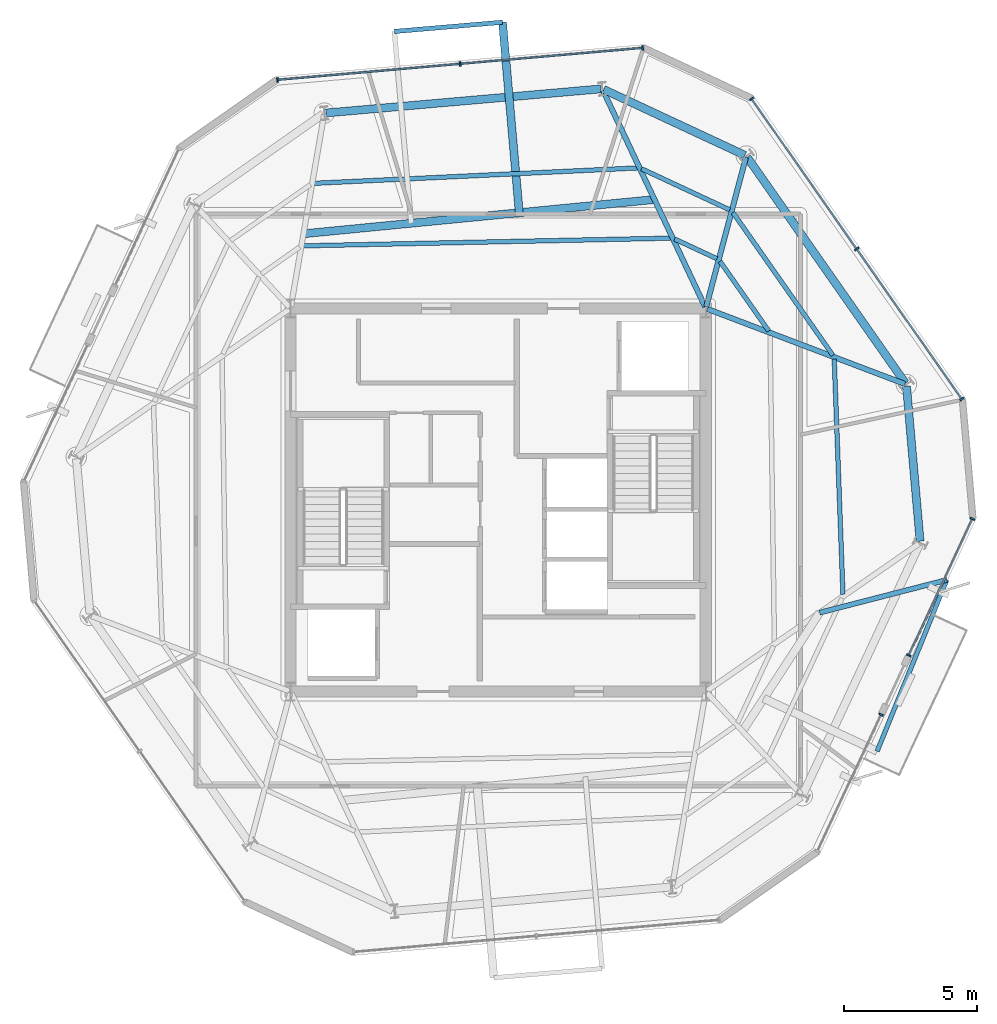
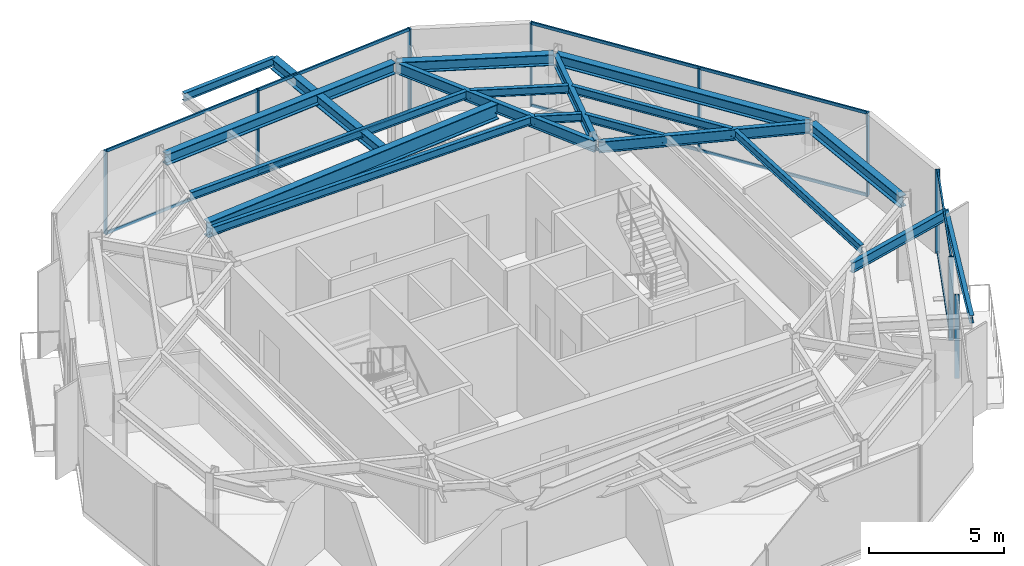
# One storey, part 4 of 11: 19 beams, 19 members, 4 elements without a shape of their own.
"""IFC4 building model written with IfcOpenShell, lengths in metres."""

from ifc_helpers import new_model, si_unit, direction, frame, origin, origin_2d, place, context, subcontext, project, spatial, rectangle, i_section, extrude, material, layer, layer_set, material_profile, profile_set, type_object, element, aggregate, save


model = new_model("IFC4")

# Units and contexts
model_context = context("Model", 3, precision=1e-05, world=origin(), true_north=direction((0.0, 1.0)))
body_context = subcontext(model_context, "Body", "Model", "MODEL_VIEW")
ifc_project = project(units=[si_unit("LENGTHUNIT", "METRE"), si_unit("AREAUNIT", "SQUARE_METRE"), si_unit("VOLUMEUNIT", "CUBIC_METRE"), si_unit("PLANEANGLEUNIT", "RADIAN"), si_unit("MASSUNIT", "GRAM", prefix="KILO")], contexts=[model_context])

# Site, building, storey
site_placement = place(None, origin())
site = spatial("IfcSite", under=ifc_project, at=site_placement, CompositionType="ELEMENT")
building_placement = place(site_placement, origin())
building = spatial("IfcBuilding", under=site, at=building_placement, Name="Kranzbogen Civic Tower", CompositionType="ELEMENT")
storey_placement = place(building_placement, frame((0.0, 0.0, 286.199951171875)))
storey = spatial("IfcBuildingStorey", under=building, at=storey_placement, Name="L69", CompositionType="ELEMENT", Elevation=286.199951171875)

# Beam
ifc_material_1 = material(Name="Steel S355", Category="steel")
ifc_material_profile_1 = material_profile(ifc_material_1, i_section(OverallWidth=0.18994140625, OverallDepth=0.449951171875, WebThickness=0.009521484375, FlangeThickness=0.0146484375, at=origin_2d()), Name="IPE 450")
ifc_profile_set_1 = profile_set([ifc_material_profile_1], Name="Steel S355")
beam_type_1 = type_object("IfcBeamType", Name="Braced Terrace Edge Beam IPE 450", PredefinedType="BEAM", material=ifc_profile_set_1)
beam_1_placement = place(storey_placement, frame((37.075927734375, 20.76708984375, 3.4951171875), z_axis=(0.968392283059, 0.249432127264, 0.0), x_axis=(-0.249432127264, 0.968392283059, 0.0)))
element("IfcBeam", 1, at=beam_1_placement, inside=storey, type_object=beam_type_1, Name="L70 back-spanned terrace beam L70-ST-2", PredefinedType="BEAM", context=body_context, shape_type="SweptSolid", body=[
    extrude(i_section(OverallWidth=0.18994140625, OverallDepth=0.449951171875, WebThickness=0.009521484375, FlangeThickness=0.0146484375, at=origin_2d()), origin(), (0.0, 0.0, 1.0), 4.93505859375),
])

# Curtain wall, members
ifc_material_2 = material(Name="Pale Anodised Aluminium", Category="aluminium")
ifc_layer = layer(ifc_material_2, 0.219970703125, Name="Pale Anodised Aluminium")
ifc_layer_set = layer_set([ifc_layer], Name="Pale Anodised Aluminium")
curtain_wall_type = type_object("IfcCurtainWallType", Name="Zone 4 Stick Curtain Wall System CW-05", PredefinedType="USERDEFINED", material=ifc_layer_set)
curtain_wall_1_placement = place(storey_placement, origin())
curtain_wall_1 = element("IfcCurtainWall", 2, at=curtain_wall_1_placement, inside=storey, type_object=curtain_wall_type, Name="L69 curtain wall CW-L69-F1", ObjectType="STICK CURTAIN WALL", PredefinedType="USERDEFINED")
ifc_material_profile_2 = material_profile(ifc_material_2, rectangle(XDim=0.06494140625, YDim=0.179931640625, at=origin_2d()), Name="ALU-M 65x180")
ifc_profile_set_2 = profile_set([ifc_material_profile_2], Name="Pale Anodised Aluminium")
member_type_1 = type_object("IfcMemberType", Name="Curtain Wall Mullion ALU-M 65x180", PredefinedType="MULLION", material=ifc_profile_set_2)
member_1_placement = place(storey_placement, frame((30.427001953125, 41.984375, 0.0), z_axis=(0.0, 0.0, 1.0), x_axis=(-0.99618696717, -0.087244062492, 0.0)))
member_1 = element("IfcMember", 3, at=member_1_placement, type_object=member_type_1, Name="CW-05 mullion 1", PredefinedType="MULLION", context=body_context, shape_type="SweptSolid", body=[
    extrude(rectangle(XDim=0.06494140625, YDim=0.179931640625, at=origin_2d()), origin(), (0.0, 0.0, 1.0), 3.780029296875),
])
member_2_placement = place(storey_placement, frame((23.56591796875, 41.383544921875, 0.0), z_axis=(0.0, 0.0, 1.0), x_axis=(-0.99618696717, -0.087244062492, 0.0)))
member_2 = element("IfcMember", 4, at=member_2_placement, type_object=member_type_1, Name="CW-05 mullion 2", PredefinedType="MULLION", context=body_context, shape_type="SweptSolid", body=[
    extrude(rectangle(XDim=0.06494140625, YDim=0.179931640625, at=origin_2d()), origin(), (0.0, 0.0, 1.0), 3.780029296875),
])
member_3_placement = place(storey_placement, frame((16.704833984375, 40.78271484375, 0.0), z_axis=(0.0, 0.0, 1.0), x_axis=(-0.99618696717, -0.087244062492, 0.0)))
member_3 = element("IfcMember", 5, at=member_3_placement, type_object=member_type_1, Name="CW-05 mullion 3", PredefinedType="MULLION", context=body_context, shape_type="SweptSolid", body=[
    extrude(rectangle(XDim=0.06494140625, YDim=0.179931640625, at=origin_2d()), origin(), (0.0, 0.0, 1.0), 3.780029296875),
])

# Curtain wall, member
curtain_wall_2_placement = place(storey_placement, origin())
curtain_wall_2 = element("IfcCurtainWall", 6, at=curtain_wall_2_placement, inside=storey, type_object=curtain_wall_type, Name="L69 curtain wall CW-L69-F5-S1", ObjectType="STICK CURTAIN WALL", PredefinedType="USERDEFINED")
member_4_placement = place(storey_placement, frame((39.38525390625, 16.934814453125, 0.0), z_axis=(0.0, 0.0, 1.0), x_axis=(0.422626886136, 0.906303765365, 0.0)))
member_4 = element("IfcMember", 7, at=member_4_placement, type_object=member_type_1, Name="CW-05 mullion 2", PredefinedType="MULLION", context=body_context, shape_type="SweptSolid", body=[
    extrude(rectangle(XDim=0.06494140625, YDim=0.179931640625, at=origin_2d()), origin(), (0.0, 0.0, 1.0), 3.780029296875),
])
aggregate(curtain_wall_2, [member_4])

# Curtain wall, members
curtain_wall_3_placement = place(storey_placement, origin())
curtain_wall_3 = element("IfcCurtainWall", 8, at=curtain_wall_3_placement, inside=storey, type_object=curtain_wall_type, Name="L69 curtain wall CW-L69-F5-S2", ObjectType="STICK CURTAIN WALL", PredefinedType="USERDEFINED")
member_5_placement = place(storey_placement, frame((40.424560546875, 19.164306640625, 0.0), z_axis=(0.0, 0.0, 1.0), x_axis=(0.422626886136, 0.906303765365, 0.0)))
member_5 = element("IfcMember", 9, at=member_5_placement, type_object=member_type_1, Name="CW-05 mullion 1", PredefinedType="MULLION", context=body_context, shape_type="SweptSolid", body=[
    extrude(rectangle(XDim=0.06494140625, YDim=0.179931640625, at=origin_2d()), origin(), (0.0, 0.0, 1.0), 3.780029296875),
])
member_6_placement = place(storey_placement, frame((42.8154296875, 24.290771484375, 0.0), z_axis=(0.0, 0.0, 1.0), x_axis=(0.422626886136, 0.906303765365, 0.0)))
member_6 = element("IfcMember", 10, at=member_6_placement, type_object=member_type_1, Name="CW-05 mullion 2", PredefinedType="MULLION", context=body_context, shape_type="SweptSolid", body=[
    extrude(rectangle(XDim=0.06494140625, YDim=0.179931640625, at=origin_2d()), origin(), (0.0, 0.0, 1.0), 3.780029296875),
])

curtain_wall_4_placement = place(storey_placement, origin())
curtain_wall_4 = element("IfcCurtainWall", 11, at=curtain_wall_4_placement, inside=storey, type_object=curtain_wall_type, Name="L69 curtain wall CW-L69-F6", ObjectType="STICK CURTAIN WALL", PredefinedType="USERDEFINED")
member_7_placement = place(storey_placement, frame((42.421875, 28.79052734375, 0.0), z_axis=(0.0, 0.0, 1.0), x_axis=(-0.573520552837, 0.819191171506, 0.0)))
member_7 = element("IfcMember", 12, at=member_7_placement, type_object=member_type_1, Name="CW-05 mullion 1", PredefinedType="MULLION", context=body_context, shape_type="SweptSolid", body=[
    extrude(rectangle(XDim=0.06494140625, YDim=0.179931640625, at=origin_2d()), origin(), (0.0, 0.0, 1.0), 3.780029296875),
])
member_8_placement = place(storey_placement, frame((38.471435546875, 34.43310546875, 0.0), z_axis=(0.0, 0.0, 1.0), x_axis=(-0.573520552837, 0.819191171506, 0.0)))
member_8 = element("IfcMember", 13, at=member_8_placement, type_object=member_type_1, Name="CW-05 mullion 2", PredefinedType="MULLION", context=body_context, shape_type="SweptSolid", body=[
    extrude(rectangle(XDim=0.06494140625, YDim=0.179931640625, at=origin_2d()), origin(), (0.0, 0.0, 1.0), 3.780029296875),
])
member_9_placement = place(storey_placement, frame((34.521240234375, 40.075439453125, 0.0), z_axis=(0.0, 0.0, 1.0), x_axis=(-0.573520552837, 0.819191171506, 0.0)))
member_9 = element("IfcMember", 14, at=member_9_placement, type_object=member_type_1, Name="CW-05 mullion 3", PredefinedType="MULLION", context=body_context, shape_type="SweptSolid", body=[
    extrude(rectangle(XDim=0.06494140625, YDim=0.179931640625, at=origin_2d()), origin(), (0.0, 0.0, 1.0), 3.780029296875),
])

# Member
ifc_material_profile_3 = material_profile(ifc_material_2, rectangle(XDim=0.06494140625, YDim=0.135009765625, at=origin_2d()), Name="ALU-T 65x135")
ifc_profile_set_3 = profile_set([ifc_material_profile_3], Name="Pale Anodised Aluminium")
member_type_2 = type_object("IfcMemberType", Name="Curtain Wall Transom ALU-T 65x135", PredefinedType="USERDEFINED", material=ifc_profile_set_3)
member_10_placement = place(storey_placement, frame((30.397216796875, 41.981689453125, 0.030029296875), z_axis=(-0.996189291323, -0.087217520337, 0.0), x_axis=(0.087217520337, -0.996189291323, 0.0)))
member_10 = element("IfcMember", 15, at=member_10_placement, type_object=member_type_2, Name="CW-05 transom 1.1", ObjectType="TRANSOM", PredefinedType="USERDEFINED", context=body_context, shape_type="SweptSolid", body=[
    extrude(rectangle(XDim=0.06494140625, YDim=0.135009765625, at=origin_2d()), origin(), (0.0, 0.0, 1.0), 6.827392578125),
])

member_11_placement = place(storey_placement, frame((30.397216796875, 41.981689453125, 3.75), z_axis=(-0.996189291323, -0.087217520337, 0.0), x_axis=(0.087217520337, -0.996189291323, 0.0)))
member_11 = element("IfcMember", 16, at=member_11_placement, type_object=member_type_2, Name="CW-05 transom 1.2", ObjectType="TRANSOM", PredefinedType="USERDEFINED", context=body_context, shape_type="SweptSolid", body=[
    extrude(rectangle(XDim=0.06494140625, YDim=0.135009765625, at=origin_2d()), origin(), (0.0, 0.0, 1.0), 6.827392578125),
])

member_12_placement = place(storey_placement, frame((23.5361328125, 41.380859375, 0.030029296875), z_axis=(-0.996186183727, -0.087253007692, 0.0), x_axis=(0.087253007692, -0.996186183727, 0.0)))
member_12 = element("IfcMember", 17, at=member_12_placement, type_object=member_type_2, Name="CW-05 transom 2.1", ObjectType="TRANSOM", PredefinedType="USERDEFINED", context=body_context, shape_type="SweptSolid", body=[
    extrude(rectangle(XDim=0.06494140625, YDim=0.135009765625, at=origin_2d()), origin(), (0.0, 0.0, 1.0), 6.827392578125),
])

member_13_placement = place(storey_placement, frame((23.5361328125, 41.380859375, 3.75), z_axis=(-0.996186183727, -0.087253007692, 0.0), x_axis=(0.087253007692, -0.996186183727, 0.0)))
member_13 = element("IfcMember", 18, at=member_13_placement, type_object=member_type_2, Name="CW-05 transom 2.2", ObjectType="TRANSOM", PredefinedType="USERDEFINED", context=body_context, shape_type="SweptSolid", body=[
    extrude(rectangle(XDim=0.06494140625, YDim=0.135009765625, at=origin_2d()), origin(), (0.0, 0.0, 1.0), 6.827392578125),
])

aggregate(curtain_wall_1, [member_1, member_2, member_3, member_10, member_11, member_12, member_13])

member_14_placement = place(storey_placement, frame((40.437255859375, 19.19140625, 0.030029296875), z_axis=(0.422653809005, 0.906291210226, 0.0), x_axis=(-0.906291210226, 0.422653809005, 0.0)))
member_14 = element("IfcMember", 19, at=member_14_placement, type_object=member_type_2, Name="CW-05 transom 1.1", ObjectType="TRANSOM", PredefinedType="USERDEFINED", context=body_context, shape_type="SweptSolid", body=[
    extrude(rectangle(XDim=0.06494140625, YDim=0.135009765625, at=origin_2d()), origin(), (0.0, 0.0, 1.0), 5.5966796875),
])

member_15_placement = place(storey_placement, frame((40.437255859375, 19.19140625, 3.75), z_axis=(0.422653809005, 0.906291210226, 0.0), x_axis=(-0.906291210226, 0.422653809005, 0.0)))
member_15 = element("IfcMember", 20, at=member_15_placement, type_object=member_type_2, Name="CW-05 transom 1.2", ObjectType="TRANSOM", PredefinedType="USERDEFINED", context=body_context, shape_type="SweptSolid", body=[
    extrude(rectangle(XDim=0.06494140625, YDim=0.135009765625, at=origin_2d()), origin(), (0.0, 0.0, 1.0), 5.5966796875),
])

aggregate(curtain_wall_3, [member_5, member_6, member_14, member_15])

member_16_placement = place(storey_placement, frame((42.404541015625, 28.815185546875, 0.030029296875), z_axis=(-0.573510339672, 0.819198321708, 0.0), x_axis=(-0.819198321708, -0.573510339672, 0.0)))
member_16 = element("IfcMember", 21, at=member_16_placement, type_object=member_type_2, Name="CW-05 transom 1.1", ObjectType="TRANSOM", PredefinedType="USERDEFINED", context=body_context, shape_type="SweptSolid", body=[
    extrude(rectangle(XDim=0.06494140625, YDim=0.135009765625, at=origin_2d()), origin(), (0.0, 0.0, 1.0), 6.82763671875),
])

member_17_placement = place(storey_placement, frame((42.404541015625, 28.815185546875, 3.75), z_axis=(-0.573510339672, 0.819198321708, 0.0), x_axis=(-0.819198321708, -0.573510339672, 0.0)))
member_17 = element("IfcMember", 22, at=member_17_placement, type_object=member_type_2, Name="CW-05 transom 1.2", ObjectType="TRANSOM", PredefinedType="USERDEFINED", context=body_context, shape_type="SweptSolid", body=[
    extrude(rectangle(XDim=0.06494140625, YDim=0.135009765625, at=origin_2d()), origin(), (0.0, 0.0, 1.0), 6.82763671875),
])

member_18_placement = place(storey_placement, frame((38.454345703125, 34.45751953125, 0.030029296875), z_axis=(-0.573534335111, 0.819181522282, 0.0), x_axis=(-0.819181522282, -0.573534335111, 0.0)))
member_18 = element("IfcMember", 23, at=member_18_placement, type_object=member_type_2, Name="CW-05 transom 2.1", ObjectType="TRANSOM", PredefinedType="USERDEFINED", context=body_context, shape_type="SweptSolid", body=[
    extrude(rectangle(XDim=0.06494140625, YDim=0.135009765625, at=origin_2d()), origin(), (0.0, 0.0, 1.0), 6.827880859375),
])

member_19_placement = place(storey_placement, frame((38.454345703125, 34.45751953125, 3.75), z_axis=(-0.573534335111, 0.819181522282, 0.0), x_axis=(-0.819181522282, -0.573534335111, 0.0)))
member_19 = element("IfcMember", 24, at=member_19_placement, type_object=member_type_2, Name="CW-05 transom 2.2", ObjectType="TRANSOM", PredefinedType="USERDEFINED", context=body_context, shape_type="SweptSolid", body=[
    extrude(rectangle(XDim=0.06494140625, YDim=0.135009765625, at=origin_2d()), origin(), (0.0, 0.0, 1.0), 6.827880859375),
])

aggregate(curtain_wall_4, [member_7, member_8, member_9, member_16, member_17, member_18, member_19])

# Beams
ifc_material_profile_4 = material_profile(ifc_material_1, i_section(OverallWidth=0.300048828125, OverallDepth=0.5, WebThickness=0.014404296875, FlangeThickness=0.028076171875, at=origin_2d()), Name="HEB 500")
ifc_profile_set_4 = profile_set([ifc_material_profile_4], Name="Steel S355")
beam_type_2 = type_object("IfcBeamType", Name="Perimeter Tube Spandrel Beam HEB 500", PredefinedType="SPANDREL", material=ifc_profile_set_4)
beam_2_placement = place(storey_placement, frame((40.85009765625, 23.449951171875, 3.530029296875), z_axis=(-0.087326362434, 0.99617975608, 0.0), x_axis=(-0.99617975608, -0.087326362434, 0.0)))
element("IfcBeam", 25, at=beam_2_placement, inside=storey, type_object=beam_type_2, Name="L69 perimeter spandrel beam 06", PredefinedType="SPANDREL", context=body_context, shape_type="SweptSolid", body=[
    extrude(i_section(OverallWidth=0.300048828125, OverallDepth=0.5, WebThickness=0.014404296875, FlangeThickness=0.028076171875, at=origin_2d()), origin(), (0.0, 0.0, 1.0), 5.8515625),
])
beam_3_placement = place(storey_placement, frame((40.300048828125, 29.387939453125, 3.530029296875), z_axis=(-0.573577759301, 0.819151117948, 0.0), x_axis=(-0.819151117948, -0.573577759301, 0.0)))
element("IfcBeam", 26, at=beam_3_placement, inside=storey, type_object=beam_type_2, Name="L69 perimeter spandrel beam 07", PredefinedType="SPANDREL", context=body_context, shape_type="SweptSolid", body=[
    extrude(i_section(OverallWidth=0.300048828125, OverallDepth=0.5, WebThickness=0.014404296875, FlangeThickness=0.028076171875, at=origin_2d()), origin(), (0.0, 0.0, 1.0), 10.36328125),
])
beam_4_placement = place(storey_placement, frame((34.26806640625, 37.950927734375, 3.530029296875), z_axis=(-0.906289661556, 0.422657129784, 0.0), x_axis=(-0.422657129784, -0.906289661556, 0.0)))
element("IfcBeam", 27, at=beam_4_placement, inside=storey, type_object=beam_type_2, Name="L69 perimeter spandrel beam 08", PredefinedType="SPANDREL", context=body_context, shape_type="SweptSolid", body=[
    extrude(i_section(OverallWidth=0.300048828125, OverallDepth=0.5, WebThickness=0.014404296875, FlangeThickness=0.028076171875, at=origin_2d()), origin(), (0.0, 0.0, 1.0), 5.853759765625),
])
beam_5_placement = place(storey_placement, frame((28.84912109375, 40.445068359375, 3.530029296875), z_axis=(-0.996186373839, -0.087250837114, 0.0), x_axis=(0.087250837114, -0.996186373839, 0.0)))
element("IfcBeam", 28, at=beam_5_placement, inside=storey, type_object=beam_type_2, Name="L69 perimeter spandrel beam 09", PredefinedType="SPANDREL", context=body_context, shape_type="SweptSolid", body=[
    extrude(i_section(OverallWidth=0.300048828125, OverallDepth=0.5, WebThickness=0.014404296875, FlangeThickness=0.028076171875, at=origin_2d()), origin(), (0.0, 0.0, 1.0), 10.361572265625),
])
beam_6_placement = place(storey_placement, frame((25.7900390625, 35.7939453125, 3.5), z_axis=(-0.087277832057, 0.996184009123, 0.0), x_axis=(-0.996184009123, -0.087277832057, 0.0)))
element("IfcBeam", 29, at=beam_6_placement, inside=storey, type_object=beam_type_2, Name="L70 back-spanned terrace beam L70-TB1-1", PredefinedType="SPANDREL", context=body_context, shape_type="SweptSolid", body=[
    extrude(i_section(OverallWidth=0.300048828125, OverallDepth=0.5, WebThickness=0.014404296875, FlangeThickness=0.028076171875, at=origin_2d()), origin(), (0.0, 0.0, 1.0), 7.183349609375),
])
ifc_material_profile_5 = material_profile(ifc_material_1, i_section(OverallWidth=0.300048828125, OverallDepth=0.699951171875, WebThickness=0.01708984375, FlangeThickness=0.031982421875, at=origin_2d()), Name="HEB 700")
ifc_profile_set_5 = profile_set([ifc_material_profile_5], Name="Steel S355")
beam_type_3 = type_object("IfcBeamType", Name="Perimeter Tube Spandrel Beam HEB 700", PredefinedType="SPANDREL", material=ifc_profile_set_5)
beam_7_placement = place(storey_placement, frame((30.87109375, 36.2900390625, 3.400146484375), z_axis=(-0.995270463506, -0.097142701589, 0.0), x_axis=(0.097142701589, -0.995270463506, 0.0)))
element("IfcBeam", 30, at=beam_7_placement, inside=storey, type_object=beam_type_3, Name="L70 balcony back-span header girder L70-TB1", PredefinedType="SPANDREL", context=body_context, shape_type="SweptSolid", body=[
    extrude(i_section(OverallWidth=0.300048828125, OverallDepth=0.699951171875, WebThickness=0.01708984375, FlangeThickness=0.031982421875, at=origin_2d()), origin(), (0.0, 0.0, 1.0), 13.249755859375),
])
ifc_material_profile_6 = material_profile(ifc_material_1, i_section(OverallWidth=0.199951171875, OverallDepth=0.5, WebThickness=0.01025390625, FlangeThickness=0.01611328125, at=origin_2d()), Name="IPE 500")
ifc_profile_set_6 = profile_set([ifc_material_profile_6], Name="Steel S355")
beam_type_4 = type_object("IfcBeamType", Name="Radial Tower Floor Girder IPE 500", PredefinedType="BEAM", material=ifc_profile_set_6)
beam_8_placement = place(storey_placement, frame((40.278076171875, 29.360107421875, 3.530029296875), z_axis=(-0.934848709689, 0.355046320913, 0.0), x_axis=(-0.355046320913, -0.934848709689, 0.0)))
element("IfcBeam", 31, at=beam_8_placement, inside=storey, type_object=beam_type_4, Name="L69 radial floor girder 07", PredefinedType="BEAM", context=body_context, shape_type="SweptSolid", body=[
    extrude(i_section(OverallWidth=0.199951171875, OverallDepth=0.5, WebThickness=0.01025390625, FlangeThickness=0.01611328125, at=origin_2d()), origin(), (0.0, 0.0, 1.0), 7.939453125),
])
beam_9_placement = place(storey_placement, frame((34.306884765625, 37.867919921875, 3.530029296875), z_axis=(-0.257016017622, -0.966407143333, 0.0), x_axis=(0.966407143333, -0.257016017622, 0.0)))
element("IfcBeam", 32, at=beam_9_placement, inside=storey, type_object=beam_type_4, Name="L69 radial floor girder 08", PredefinedType="BEAM", context=body_context, shape_type="SweptSolid", body=[
    extrude(i_section(OverallWidth=0.199951171875, OverallDepth=0.5, WebThickness=0.01025390625, FlangeThickness=0.01611328125, at=origin_2d()), origin(), (0.0, 0.0, 1.0), 5.804931640625),
])
beam_10_placement = place(storey_placement, frame((28.93505859375, 40.39599609375, 3.530029296875), z_axis=(0.426460441273, -0.904506214478, 0.0), x_axis=(0.904506214478, 0.426460441273, 0.0)))
element("IfcBeam", 33, at=beam_10_placement, inside=storey, type_object=beam_type_4, Name="L69 radial floor girder 09", PredefinedType="BEAM", context=body_context, shape_type="SweptSolid", body=[
    extrude(i_section(OverallWidth=0.199951171875, OverallDepth=0.5, WebThickness=0.01025390625, FlangeThickness=0.01611328125, at=origin_2d()), origin(), (0.0, 0.0, 1.0), 9.001708984375),
])
ifc_material_profile_7 = material_profile(ifc_material_1, i_section(OverallWidth=0.169921875, OverallDepth=0.360107421875, WebThickness=0.008056640625, FlangeThickness=0.0126953125, at=origin_2d()), Name="IPE 360")
ifc_profile_set_7 = profile_set([ifc_material_profile_7], Name="Steel S355")
beam_type_5 = type_object("IfcBeamType", Name="Secondary Composite Floor Joist IPE 360", PredefinedType="JOIST", material=ifc_profile_set_7)
beam_11_placement = place(storey_placement, frame((37.951904296875, 21.4580078125, 3.60009765625), z_axis=(-0.036992246074, 0.999315552631, 0.0), x_axis=(-0.999315552631, -0.036992246074, 0.0)))
element("IfcBeam", 34, at=beam_11_placement, inside=storey, type_object=beam_type_5, Name="L69 secondary floor joist 1.06", PredefinedType="JOIST", context=body_context, shape_type="SweptSolid", body=[
    extrude(i_section(OverallWidth=0.169921875, OverallDepth=0.360107421875, WebThickness=0.008056640625, FlangeThickness=0.0126953125, at=origin_2d()), origin(), (0.0, 0.0, 1.0), 8.837158203125),
])
beam_12_placement = place(storey_placement, frame((37.575927734375, 30.43408203125, 3.60009765625), z_axis=(-0.573499872939, 0.819205649235, 0.0), x_axis=(-0.819205649235, -0.573499872939, 0.0)))
element("IfcBeam", 35, at=beam_12_placement, inside=storey, type_object=beam_type_5, Name="L69 secondary floor joist 1.07", PredefinedType="JOIST", context=body_context, shape_type="SweptSolid", body=[
    extrude(i_section(OverallWidth=0.169921875, OverallDepth=0.360107421875, WebThickness=0.008056640625, FlangeThickness=0.0126953125, at=origin_2d()), origin(), (0.0, 0.0, 1.0), 6.549072265625),
])
beam_13_placement = place(storey_placement, frame((35.1650390625, 31.35009765625, 3.60009765625), z_axis=(-0.573498248491, 0.819206786457, 0.0), x_axis=(-0.819206786457, -0.573498248491, 0.0)))
element("IfcBeam", 36, at=beam_13_placement, inside=storey, type_object=beam_type_5, Name="L69 secondary floor joist 2.07", PredefinedType="JOIST", context=body_context, shape_type="SweptSolid", body=[
    extrude(i_section(OverallWidth=0.169921875, OverallDepth=0.360107421875, WebThickness=0.008056640625, FlangeThickness=0.0126953125, at=origin_2d()), origin(), (0.0, 0.0, 1.0), 3.194580078125),
])
beam_14_placement = place(storey_placement, frame((33.701904296875, 35.89794921875, 3.60009765625), z_axis=(-0.906303996948, 0.422626389517, 0.0), x_axis=(-0.422626389517, -0.906303996948, 0.0)))
element("IfcBeam", 37, at=beam_14_placement, inside=storey, type_object=beam_type_5, Name="L69 secondary floor joist 1.08", PredefinedType="JOIST", context=body_context, shape_type="SweptSolid", body=[
    extrude(i_section(OverallWidth=0.169921875, OverallDepth=0.360107421875, WebThickness=0.008056640625, FlangeThickness=0.0126953125, at=origin_2d()), origin(), (0.0, 0.0, 1.0), 3.6630859375),
])
beam_15_placement = place(storey_placement, frame((33.215087890625, 34.06591796875, 3.60009765625), z_axis=(-0.906432174342, 0.422351409751, 0.0), x_axis=(-0.422351409751, -0.906432174342, 0.0)))
element("IfcBeam", 38, at=beam_15_placement, inside=storey, type_object=beam_type_5, Name="L69 secondary floor joist 2.08", PredefinedType="JOIST", context=body_context, shape_type="SweptSolid", body=[
    extrude(i_section(OverallWidth=0.169921875, OverallDepth=0.360107421875, WebThickness=0.008056640625, FlangeThickness=0.0126953125, at=origin_2d()), origin(), (0.0, 0.0, 1.0), 1.751953125),
])
beam_16_placement = place(storey_placement, frame((30.22998046875, 37.47607421875, 3.60009765625), z_axis=(-0.998871634781, -0.047491654324, 0.0), x_axis=(0.047491654324, -0.998871634781, 0.0)))
element("IfcBeam", 39, at=beam_16_placement, inside=storey, type_object=beam_type_5, Name="L69 secondary floor joist 1.09", PredefinedType="JOIST", context=body_context, shape_type="SweptSolid", body=[
    extrude(i_section(OverallWidth=0.169921875, OverallDepth=0.360107421875, WebThickness=0.008056640625, FlangeThickness=0.0126953125, at=origin_2d()), origin(), (0.0, 0.0, 1.0), 12.152587890625),
])
beam_17_placement = place(storey_placement, frame((31.47509765625, 34.837890625, 3.60009765625), z_axis=(-0.999780746893, -0.020939392104, 0.0), x_axis=(0.020939392104, -0.999780746893, 0.0)))
element("IfcBeam", 40, at=beam_17_placement, inside=storey, type_object=beam_type_5, Name="L69 secondary floor joist 2.09", PredefinedType="JOIST", context=body_context, shape_type="SweptSolid", body=[
    extrude(i_section(OverallWidth=0.169921875, OverallDepth=0.360107421875, WebThickness=0.008056640625, FlangeThickness=0.0126953125, at=origin_2d()), origin(), (0.0, 0.0, 1.0), 13.79296875),
])
beam_18_placement = place(storey_placement, frame((25.1630859375, 42.949951171875, 3.570068359375), z_axis=(-0.996398545075, -0.084793510202, 0.0), x_axis=(0.084793510202, -0.996398545075, 0.0)))
element("IfcBeam", 41, at=beam_18_placement, inside=storey, type_object=beam_type_5, Name="L70 terrace outer edge trimmer L70-TB1", PredefinedType="JOIST", context=body_context, shape_type="SweptSolid", body=[
    extrude(i_section(OverallWidth=0.169921875, OverallDepth=0.360107421875, WebThickness=0.008056640625, FlangeThickness=0.0126953125, at=origin_2d()), origin(), (0.0, 0.0, 1.0), 4.079833984375),
])
beam_19_placement = place(storey_placement, frame((39.236083984375, 15.56005859375, 3.5400390625), z_axis=(0.376804770116, 0.926292699538, 0.0), x_axis=(-0.926292699538, 0.376804770116, 0.0)))
element("IfcBeam", 42, at=beam_19_placement, inside=storey, type_object=beam_type_5, Name="L70 terrace outer edge trimmer L70-ST", PredefinedType="JOIST", context=body_context, shape_type="SweptSolid", body=[
    extrude(i_section(OverallWidth=0.169921875, OverallDepth=0.360107421875, WebThickness=0.008056640625, FlangeThickness=0.0126953125, at=origin_2d()), origin(), (0.0, 0.0, 1.0), 6.9501953125),
])

save(model, "model.ifc")
